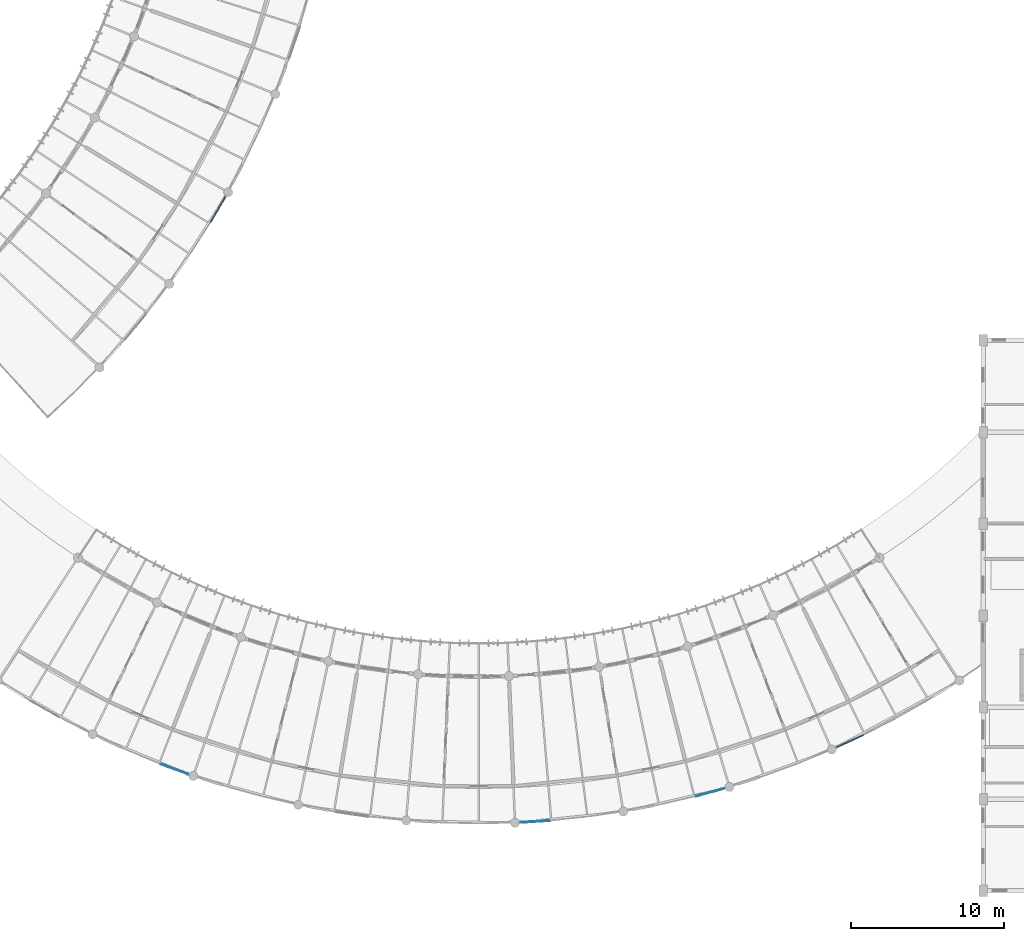
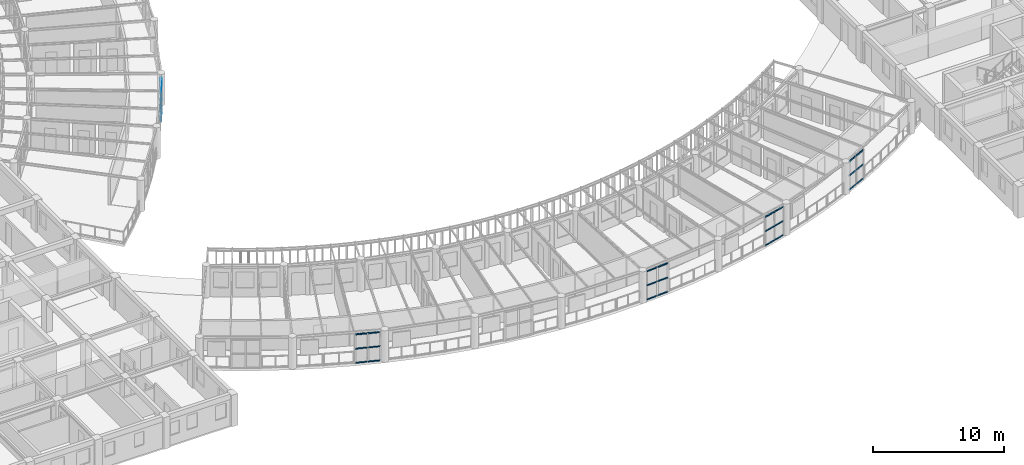
# One storey, part 42 of 100: 30 members, 5 elements without a shape of their own.
"""IFC4 building model written with IfcOpenShell, lengths in metres."""

from ifc_helpers import new_model, si_unit, direction, frame, origin, origin_2d, place, context, subcontext, project, spatial, rectangle, extrude, material, layer, layer_set, material_profile, profile_set, type_object, element, aggregate, save


model = new_model("IFC4")

# Units and contexts
model_context = context("Model", 3, precision=1e-05, world=origin(), true_north=direction((0.0, 1.0)))
body_context = subcontext(model_context, "Body", "Model", "MODEL_VIEW")
ifc_project = project(units=[si_unit("LENGTHUNIT", "METRE"), si_unit("AREAUNIT", "SQUARE_METRE"), si_unit("VOLUMEUNIT", "CUBIC_METRE"), si_unit("PLANEANGLEUNIT", "RADIAN"), si_unit("MASSUNIT", "GRAM", prefix="KILO"), si_unit("POWERUNIT", "WATT"), si_unit("THERMODYNAMICTEMPERATUREUNIT", "KELVIN")], contexts=[model_context])

# Site, building, storey
site_placement = place(None, origin())
site = spatial("IfcSite", under=ifc_project, at=site_placement, CompositionType="ELEMENT")
building_placement = place(site_placement, origin())
building = spatial("IfcBuilding", under=site, at=building_placement, Name="Ruvembo Vaulted Housing Court", CompositionType="ELEMENT")
storey_placement = place(building_placement, frame((0.0, 0.0, 14.10009765625)))
storey = spatial("IfcBuildingStorey", under=building, at=storey_placement, Name="L04", CompositionType="ELEMENT", Elevation=14.10009765625)

# Curtain wall, members
ifc_material_1 = material(Name="Anodised Aluminium and Solar-Control Glass", Category="aluminium")
ifc_layer_1 = layer(ifc_material_1, 0.1201171875, Name="Anodised Aluminium and Solar-Control Glass")
ifc_layer_set_1 = layer_set([ifc_layer_1], Name="Anodised Aluminium and Solar-Control Glass")
curtain_wall_type_1 = type_object("IfcCurtainWallType", Name="CW-SCOOP-GAL", PredefinedType="NOTDEFINED", material=ifc_layer_set_1)
curtain_wall_1_placement = place(storey_placement, origin())
curtain_wall_1 = element("IfcCurtainWall", 1, at=curtain_wall_1_placement, inside=storey, type_object=curtain_wall_type_1, Name="L04 Curtain Wall CW-L04-0048", PredefinedType="NOTDEFINED")
ifc_material_2 = material(Name="Anodised Aluminium 6063-T6", Category="aluminium")
ifc_material_profile_1 = material_profile(ifc_material_2, rectangle(XDim=0.06005859375, YDim=0.1201171875, at=origin_2d()), Name="ALU 60x120")
ifc_profile_set_1 = profile_set([ifc_material_profile_1], Name="Anodised Aluminium 6063-T6")
member_type_1 = type_object("IfcMemberType", Name="CW-TRANSOM-65x120", PredefinedType="USERDEFINED", material=ifc_profile_set_1)
member_1_placement = place(storey_placement, frame((48.20556640625, 8.286865234375, 0.02978515625), z_axis=(0.939135339622, -0.343547396837, 0.0), x_axis=(0.343547396837, 0.939135339622, 0.0)))
member_1 = element("IfcMember", 2, at=member_1_placement, type_object=member_type_1, Name="CW6 transom 1.1", ObjectType="TRANSOM", PredefinedType="USERDEFINED", context=body_context, shape_type="SweptSolid", body=[
    extrude(rectangle(XDim=0.06005859375, YDim=0.1201171875, at=origin_2d()), origin(), (0.0, 0.0, 1.0), 0.923095703125),
])
member_2_placement = place(storey_placement, frame((48.20556640625, 8.286865234375, 1.348876953125), z_axis=(0.939135339622, -0.343547396837, 0.0), x_axis=(0.343547396837, 0.939135339622, 0.0)))
member_2 = element("IfcMember", 3, at=member_2_placement, type_object=member_type_1, Name="CW6 transom 1.2", ObjectType="TRANSOM", PredefinedType="USERDEFINED", context=body_context, shape_type="SweptSolid", body=[
    extrude(rectangle(XDim=0.06005859375, YDim=0.1201171875, at=origin_2d()), origin(), (0.0, 0.0, 1.0), 0.923095703125),
])
member_3_placement = place(storey_placement, frame((48.20556640625, 8.286865234375, 2.66796875), z_axis=(0.939135339622, -0.343547396837, 0.0), x_axis=(0.343547396837, 0.939135339622, 0.0)))
member_3 = element("IfcMember", 4, at=member_3_placement, type_object=member_type_1, Name="CW6 transom 1.3", ObjectType="TRANSOM", PredefinedType="USERDEFINED", context=body_context, shape_type="SweptSolid", body=[
    extrude(rectangle(XDim=0.06005859375, YDim=0.1201171875, at=origin_2d()), origin(), (0.0, 0.0, 1.0), 0.923095703125),
])
member_4_placement = place(storey_placement, frame((49.12890625, 7.94921875, 0.02978515625), z_axis=(0.939104113888, -0.343632744772, 0.0), x_axis=(0.343632744772, 0.939104113888, 0.0)))
member_4 = element("IfcMember", 5, at=member_4_placement, type_object=member_type_1, Name="CW6 transom 2.1", ObjectType="TRANSOM", PredefinedType="USERDEFINED", context=body_context, shape_type="SweptSolid", body=[
    extrude(rectangle(XDim=0.06005859375, YDim=0.1201171875, at=origin_2d()), origin(), (0.0, 0.0, 1.0), 0.9228515625),
])
member_5_placement = place(storey_placement, frame((49.12890625, 7.94921875, 1.348876953125), z_axis=(0.939104113888, -0.343632744772, 0.0), x_axis=(0.343632744772, 0.939104113888, 0.0)))
member_5 = element("IfcMember", 6, at=member_5_placement, type_object=member_type_1, Name="CW6 transom 2.2", ObjectType="TRANSOM", PredefinedType="USERDEFINED", context=body_context, shape_type="SweptSolid", body=[
    extrude(rectangle(XDim=0.06005859375, YDim=0.1201171875, at=origin_2d()), origin(), (0.0, 0.0, 1.0), 0.9228515625),
])
member_6_placement = place(storey_placement, frame((49.12890625, 7.94921875, 2.66796875), z_axis=(0.939104113888, -0.343632744772, 0.0), x_axis=(0.343632744772, 0.939104113888, 0.0)))
member_6 = element("IfcMember", 7, at=member_6_placement, type_object=member_type_1, Name="CW6 transom 2.3", ObjectType="TRANSOM", PredefinedType="USERDEFINED", context=body_context, shape_type="SweptSolid", body=[
    extrude(rectangle(XDim=0.06005859375, YDim=0.1201171875, at=origin_2d()), origin(), (0.0, 0.0, 1.0), 0.9228515625),
])
aggregate(curtain_wall_1, [member_1, member_2, member_3, member_4, member_5, member_6])

ifc_layer_2 = layer(ifc_material_1, 0.139892578125, Name="Anodised Aluminium and Solar-Control Glass")
ifc_layer_set_2 = layer_set([ifc_layer_2], Name="Anodised Aluminium and Solar-Control Glass")
curtain_wall_type_2 = type_object("IfcCurtainWallType", Name="CW-SCOOP-PAN", PredefinedType="NOTDEFINED", material=ifc_layer_set_2)
curtain_wall_2_placement = place(storey_placement, origin())
curtain_wall_2 = element("IfcCurtainWall", 8, at=curtain_wall_2_placement, inside=storey, type_object=curtain_wall_type_2, Name="L04 Curtain Wall CW-L04-0051", PredefinedType="NOTDEFINED")
member_7_placement = place(storey_placement, frame((83.213134765625, 6.183349609375, 0.02978515625), z_axis=(0.964265725921, 0.26493699216, 0.0), x_axis=(-0.26493699216, 0.964265725921, 0.0)))
member_7 = element("IfcMember", 9, at=member_7_placement, type_object=member_type_1, Name="CW10 transom 1.1", ObjectType="TRANSOM", PredefinedType="USERDEFINED", context=body_context, shape_type="SweptSolid", body=[
    extrude(rectangle(XDim=0.06005859375, YDim=0.1201171875, at=origin_2d()), origin(), (0.0, 0.0, 1.0), 0.9306640625),
])
member_8_placement = place(storey_placement, frame((83.213134765625, 6.183349609375, 1.348876953125), z_axis=(0.964265725921, 0.26493699216, 0.0), x_axis=(-0.26493699216, 0.964265725921, 0.0)))
member_8 = element("IfcMember", 10, at=member_8_placement, type_object=member_type_1, Name="CW10 transom 1.2", ObjectType="TRANSOM", PredefinedType="USERDEFINED", context=body_context, shape_type="SweptSolid", body=[
    extrude(rectangle(XDim=0.06005859375, YDim=0.1201171875, at=origin_2d()), origin(), (0.0, 0.0, 1.0), 0.9306640625),
])
member_9_placement = place(storey_placement, frame((83.213134765625, 6.183349609375, 2.66796875), z_axis=(0.964265725921, 0.26493699216, 0.0), x_axis=(-0.26493699216, 0.964265725921, 0.0)))
member_9 = element("IfcMember", 11, at=member_9_placement, type_object=member_type_1, Name="CW10 transom 1.3", ObjectType="TRANSOM", PredefinedType="USERDEFINED", context=body_context, shape_type="SweptSolid", body=[
    extrude(rectangle(XDim=0.06005859375, YDim=0.1201171875, at=origin_2d()), origin(), (0.0, 0.0, 1.0), 0.9306640625),
])
member_10_placement = place(storey_placement, frame((84.16357421875, 6.4443359375, 0.02978515625), z_axis=(0.964247306701, 0.265004021706, 0.0), x_axis=(-0.265004021706, 0.964247306701, 0.0)))
member_10 = element("IfcMember", 12, at=member_10_placement, type_object=member_type_1, Name="CW10 transom 2.1", ObjectType="TRANSOM", PredefinedType="USERDEFINED", context=body_context, shape_type="SweptSolid", body=[
    extrude(rectangle(XDim=0.06005859375, YDim=0.1201171875, at=origin_2d()), origin(), (0.0, 0.0, 1.0), 0.930419921875),
])
member_11_placement = place(storey_placement, frame((84.16357421875, 6.4443359375, 1.348876953125), z_axis=(0.964247306701, 0.265004021706, 0.0), x_axis=(-0.265004021706, 0.964247306701, 0.0)))
member_11 = element("IfcMember", 13, at=member_11_placement, type_object=member_type_1, Name="CW10 transom 2.2", ObjectType="TRANSOM", PredefinedType="USERDEFINED", context=body_context, shape_type="SweptSolid", body=[
    extrude(rectangle(XDim=0.06005859375, YDim=0.1201171875, at=origin_2d()), origin(), (0.0, 0.0, 1.0), 0.930419921875),
])
member_12_placement = place(storey_placement, frame((84.16357421875, 6.4443359375, 2.66796875), z_axis=(0.964247306701, 0.265004021706, 0.0), x_axis=(-0.265004021706, 0.964247306701, 0.0)))
member_12 = element("IfcMember", 14, at=member_12_placement, type_object=member_type_1, Name="CW10 transom 2.3", ObjectType="TRANSOM", PredefinedType="USERDEFINED", context=body_context, shape_type="SweptSolid", body=[
    extrude(rectangle(XDim=0.06005859375, YDim=0.1201171875, at=origin_2d()), origin(), (0.0, 0.0, 1.0), 0.930419921875),
])
aggregate(curtain_wall_2, [member_7, member_8, member_9, member_10, member_11, member_12])

curtain_wall_3_placement = place(storey_placement, origin())
curtain_wall_3 = element("IfcCurtainWall", 15, at=curtain_wall_3_placement, inside=storey, type_object=curtain_wall_type_1, Name="L04 Curtain Wall CW-L04-0050", PredefinedType="NOTDEFINED")
ifc_material_profile_2 = material_profile(ifc_material_2, rectangle(XDim=0.06005859375, YDim=0.10009765625, at=origin_2d()), Name="ALU 60x100")
ifc_profile_set_2 = profile_set([ifc_material_profile_2], Name="Anodised Aluminium 6063-T6")
member_type_2 = type_object("IfcMemberType", Name="CW-TRN-60x100", PredefinedType="USERDEFINED", material=ifc_profile_set_2)
member_13_placement = place(storey_placement, frame((71.73974609375, 4.471435546875, 0.02978515625), z_axis=(0.99808461025, 0.061863646695, 0.0), x_axis=(-0.061863646695, 0.99808461025, 0.0)))
member_13 = element("IfcMember", 16, at=member_13_placement, type_object=member_type_2, Name="CW6 transom 1.1", ObjectType="TRANSOM", PredefinedType="USERDEFINED", context=body_context, shape_type="SweptSolid", body=[
    extrude(rectangle(XDim=0.06005859375, YDim=0.10009765625, at=origin_2d()), origin(), (0.0, 0.0, 1.0), 0.91552734375),
])
member_14_placement = place(storey_placement, frame((71.73974609375, 4.471435546875, 1.348876953125), z_axis=(0.99808461025, 0.061863646695, 0.0), x_axis=(-0.061863646695, 0.99808461025, 0.0)))
member_14 = element("IfcMember", 17, at=member_14_placement, type_object=member_type_2, Name="CW6 transom 1.2", ObjectType="TRANSOM", PredefinedType="USERDEFINED", context=body_context, shape_type="SweptSolid", body=[
    extrude(rectangle(XDim=0.06005859375, YDim=0.10009765625, at=origin_2d()), origin(), (0.0, 0.0, 1.0), 0.91552734375),
])
member_15_placement = place(storey_placement, frame((71.73974609375, 4.471435546875, 2.66796875), z_axis=(0.99808461025, 0.061863646695, 0.0), x_axis=(-0.061863646695, 0.99808461025, 0.0)))
member_15 = element("IfcMember", 18, at=member_15_placement, type_object=member_type_2, Name="CW6 transom 1.3", ObjectType="TRANSOM", PredefinedType="USERDEFINED", context=body_context, shape_type="SweptSolid", body=[
    extrude(rectangle(XDim=0.06005859375, YDim=0.10009765625, at=origin_2d()), origin(), (0.0, 0.0, 1.0), 0.91552734375),
])
member_16_placement = place(storey_placement, frame((72.718505859375, 4.5322265625, 0.02978515625), z_axis=(0.99808461025, 0.061863646695, 0.0), x_axis=(-0.061863646695, 0.99808461025, 0.0)))
member_16 = element("IfcMember", 19, at=member_16_placement, type_object=member_type_2, Name="CW6 transom 2.1", ObjectType="TRANSOM", PredefinedType="USERDEFINED", context=body_context, shape_type="SweptSolid", body=[
    extrude(rectangle(XDim=0.06005859375, YDim=0.10009765625, at=origin_2d()), origin(), (0.0, 0.0, 1.0), 0.91552734375),
])
member_17_placement = place(storey_placement, frame((72.718505859375, 4.5322265625, 1.348876953125), z_axis=(0.99808461025, 0.061863646695, 0.0), x_axis=(-0.061863646695, 0.99808461025, 0.0)))
member_17 = element("IfcMember", 20, at=member_17_placement, type_object=member_type_2, Name="CW6 transom 2.2", ObjectType="TRANSOM", PredefinedType="USERDEFINED", context=body_context, shape_type="SweptSolid", body=[
    extrude(rectangle(XDim=0.06005859375, YDim=0.10009765625, at=origin_2d()), origin(), (0.0, 0.0, 1.0), 0.91552734375),
])
member_18_placement = place(storey_placement, frame((72.718505859375, 4.5322265625, 2.66796875), z_axis=(0.99808461025, 0.061863646695, 0.0), x_axis=(-0.061863646695, 0.99808461025, 0.0)))
member_18 = element("IfcMember", 21, at=member_18_placement, type_object=member_type_2, Name="CW6 transom 2.3", ObjectType="TRANSOM", PredefinedType="USERDEFINED", context=body_context, shape_type="SweptSolid", body=[
    extrude(rectangle(XDim=0.06005859375, YDim=0.10009765625, at=origin_2d()), origin(), (0.0, 0.0, 1.0), 0.91552734375),
])
aggregate(curtain_wall_3, [member_13, member_14, member_15, member_16, member_17, member_18])

curtain_wall_4_placement = place(storey_placement, origin())
curtain_wall_4 = element("IfcCurtainWall", 22, at=curtain_wall_4_placement, inside=storey, type_object=curtain_wall_type_1, Name="L04 Curtain Wall CW-L04-0022", PredefinedType="NOTDEFINED")
ifc_material_profile_3 = material_profile(ifc_material_2, rectangle(XDim=0.06494140625, YDim=0.135009765625, at=origin_2d()), Name="ALU 65x135")
ifc_profile_set_3 = profile_set([ifc_material_profile_3], Name="Anodised Aluminium 6063-T6")
member_type_3 = type_object("IfcMemberType", Name="CW-TRN-65x135", PredefinedType="USERDEFINED", material=ifc_profile_set_3)
member_19_placement = place(storey_placement, frame((51.476806640625, 43.738037109375, 0.032470703125), z_axis=(0.505842674556, 0.862625752339, 0.0), x_axis=(-0.862625752339, 0.505842674556, 0.0)))
member_19 = element("IfcMember", 23, at=member_19_placement, type_object=member_type_3, Name="CW6 transom 1.1", ObjectType="TRANSOM", PredefinedType="USERDEFINED", context=body_context, shape_type="SweptSolid", body=[
    extrude(rectangle(XDim=0.06494140625, YDim=0.135009765625, at=origin_2d()), origin(), (0.0, 0.0, 1.0), 0.91552734375),
])
member_20_placement = place(storey_placement, frame((51.476806640625, 43.738037109375, 1.348876953125), z_axis=(0.505842674556, 0.862625752339, 0.0), x_axis=(-0.862625752339, 0.505842674556, 0.0)))
member_20 = element("IfcMember", 24, at=member_20_placement, type_object=member_type_3, Name="CW6 transom 1.2", ObjectType="TRANSOM", PredefinedType="USERDEFINED", context=body_context, shape_type="SweptSolid", body=[
    extrude(rectangle(XDim=0.06494140625, YDim=0.135009765625, at=origin_2d()), origin(), (0.0, 0.0, 1.0), 0.91552734375),
])
member_21_placement = place(storey_placement, frame((51.476806640625, 43.738037109375, 2.665283203125), z_axis=(0.505842674556, 0.862625752339, 0.0), x_axis=(-0.862625752339, 0.505842674556, 0.0)))
member_21 = element("IfcMember", 25, at=member_21_placement, type_object=member_type_3, Name="CW6 transom 1.3", ObjectType="TRANSOM", PredefinedType="USERDEFINED", context=body_context, shape_type="SweptSolid", body=[
    extrude(rectangle(XDim=0.06494140625, YDim=0.135009765625, at=origin_2d()), origin(), (0.0, 0.0, 1.0), 0.91552734375),
])
member_22_placement = place(storey_placement, frame((51.972900390625, 44.583984375, 0.032470703125), z_axis=(0.505924710511, 0.862577641314, 0.0), x_axis=(-0.862577641314, 0.505924710511, 0.0)))
member_22 = element("IfcMember", 26, at=member_22_placement, type_object=member_type_3, Name="CW6 transom 2.1", ObjectType="TRANSOM", PredefinedType="USERDEFINED", context=body_context, shape_type="SweptSolid", body=[
    extrude(rectangle(XDim=0.06494140625, YDim=0.135009765625, at=origin_2d()), origin(), (0.0, 0.0, 1.0), 0.916015625),
])
member_23_placement = place(storey_placement, frame((51.972900390625, 44.583984375, 1.348876953125), z_axis=(0.505924710511, 0.862577641314, 0.0), x_axis=(-0.862577641314, 0.505924710511, 0.0)))
member_23 = element("IfcMember", 27, at=member_23_placement, type_object=member_type_3, Name="CW6 transom 2.2", ObjectType="TRANSOM", PredefinedType="USERDEFINED", context=body_context, shape_type="SweptSolid", body=[
    extrude(rectangle(XDim=0.06494140625, YDim=0.135009765625, at=origin_2d()), origin(), (0.0, 0.0, 1.0), 0.916015625),
])
member_24_placement = place(storey_placement, frame((51.972900390625, 44.583984375, 2.665283203125), z_axis=(0.505924710511, 0.862577641314, 0.0), x_axis=(-0.862577641314, 0.505924710511, 0.0)))
member_24 = element("IfcMember", 28, at=member_24_placement, type_object=member_type_3, Name="CW6 transom 2.3", ObjectType="TRANSOM", PredefinedType="USERDEFINED", context=body_context, shape_type="SweptSolid", body=[
    extrude(rectangle(XDim=0.06494140625, YDim=0.135009765625, at=origin_2d()), origin(), (0.0, 0.0, 1.0), 0.916015625),
])
aggregate(curtain_wall_4, [member_19, member_20, member_21, member_22, member_23, member_24])

curtain_wall_5_placement = place(storey_placement, origin())
curtain_wall_5 = element("IfcCurtainWall", 29, at=curtain_wall_5_placement, inside=storey, type_object=curtain_wall_type_2, Name="L04 Curtain Wall CW-L04-0052", PredefinedType="NOTDEFINED")
member_25_placement = place(storey_placement, frame((92.42041015625, 9.38330078125, 0.032470703125), z_axis=(0.907610662165, 0.419812917766, 0.0), x_axis=(-0.419812917766, 0.907610662165, 0.0)))
member_25 = element("IfcMember", 30, at=member_25_placement, type_object=member_type_3, Name="CW10 transom 1.1", ObjectType="TRANSOM", PredefinedType="USERDEFINED", context=body_context, shape_type="SweptSolid", body=[
    extrude(rectangle(XDim=0.06494140625, YDim=0.135009765625, at=origin_2d()), origin(), (0.0, 0.0, 1.0), 0.9228515625),
])
member_26_placement = place(storey_placement, frame((92.42041015625, 9.38330078125, 1.348876953125), z_axis=(0.907610662165, 0.419812917766, 0.0), x_axis=(-0.419812917766, 0.907610662165, 0.0)))
member_26 = element("IfcMember", 31, at=member_26_placement, type_object=member_type_3, Name="CW10 transom 1.2", ObjectType="TRANSOM", PredefinedType="USERDEFINED", context=body_context, shape_type="SweptSolid", body=[
    extrude(rectangle(XDim=0.06494140625, YDim=0.135009765625, at=origin_2d()), origin(), (0.0, 0.0, 1.0), 0.9228515625),
])
member_27_placement = place(storey_placement, frame((92.42041015625, 9.38330078125, 2.665283203125), z_axis=(0.907610662165, 0.419812917766, 0.0), x_axis=(-0.419812917766, 0.907610662165, 0.0)))
member_27 = element("IfcMember", 32, at=member_27_placement, type_object=member_type_3, Name="CW10 transom 1.3", ObjectType="TRANSOM", PredefinedType="USERDEFINED", context=body_context, shape_type="SweptSolid", body=[
    extrude(rectangle(XDim=0.06494140625, YDim=0.135009765625, at=origin_2d()), origin(), (0.0, 0.0, 1.0), 0.9228515625),
])
member_28_placement = place(storey_placement, frame((93.3125, 9.7958984375, 0.032470703125), z_axis=(0.907657267334, 0.419712145472, 0.0), x_axis=(-0.419712145472, 0.907657267334, 0.0)))
member_28 = element("IfcMember", 33, at=member_28_placement, type_object=member_type_3, Name="CW10 transom 2.1", ObjectType="TRANSOM", PredefinedType="USERDEFINED", context=body_context, shape_type="SweptSolid", body=[
    extrude(rectangle(XDim=0.06494140625, YDim=0.135009765625, at=origin_2d()), origin(), (0.0, 0.0, 1.0), 0.923095703125),
])
member_29_placement = place(storey_placement, frame((93.3125, 9.7958984375, 1.348876953125), z_axis=(0.907657267334, 0.419712145472, 0.0), x_axis=(-0.419712145472, 0.907657267334, 0.0)))
member_29 = element("IfcMember", 34, at=member_29_placement, type_object=member_type_3, Name="CW10 transom 2.2", ObjectType="TRANSOM", PredefinedType="USERDEFINED", context=body_context, shape_type="SweptSolid", body=[
    extrude(rectangle(XDim=0.06494140625, YDim=0.135009765625, at=origin_2d()), origin(), (0.0, 0.0, 1.0), 0.923095703125),
])
member_30_placement = place(storey_placement, frame((93.3125, 9.7958984375, 2.665283203125), z_axis=(0.907657267334, 0.419712145472, 0.0), x_axis=(-0.419712145472, 0.907657267334, 0.0)))
member_30 = element("IfcMember", 35, at=member_30_placement, type_object=member_type_3, Name="CW10 transom 2.3", ObjectType="TRANSOM", PredefinedType="USERDEFINED", context=body_context, shape_type="SweptSolid", body=[
    extrude(rectangle(XDim=0.06494140625, YDim=0.135009765625, at=origin_2d()), origin(), (0.0, 0.0, 1.0), 0.923095703125),
])
aggregate(curtain_wall_5, [member_25, member_26, member_27, member_28, member_29, member_30])

save(model, "model.ifc")
